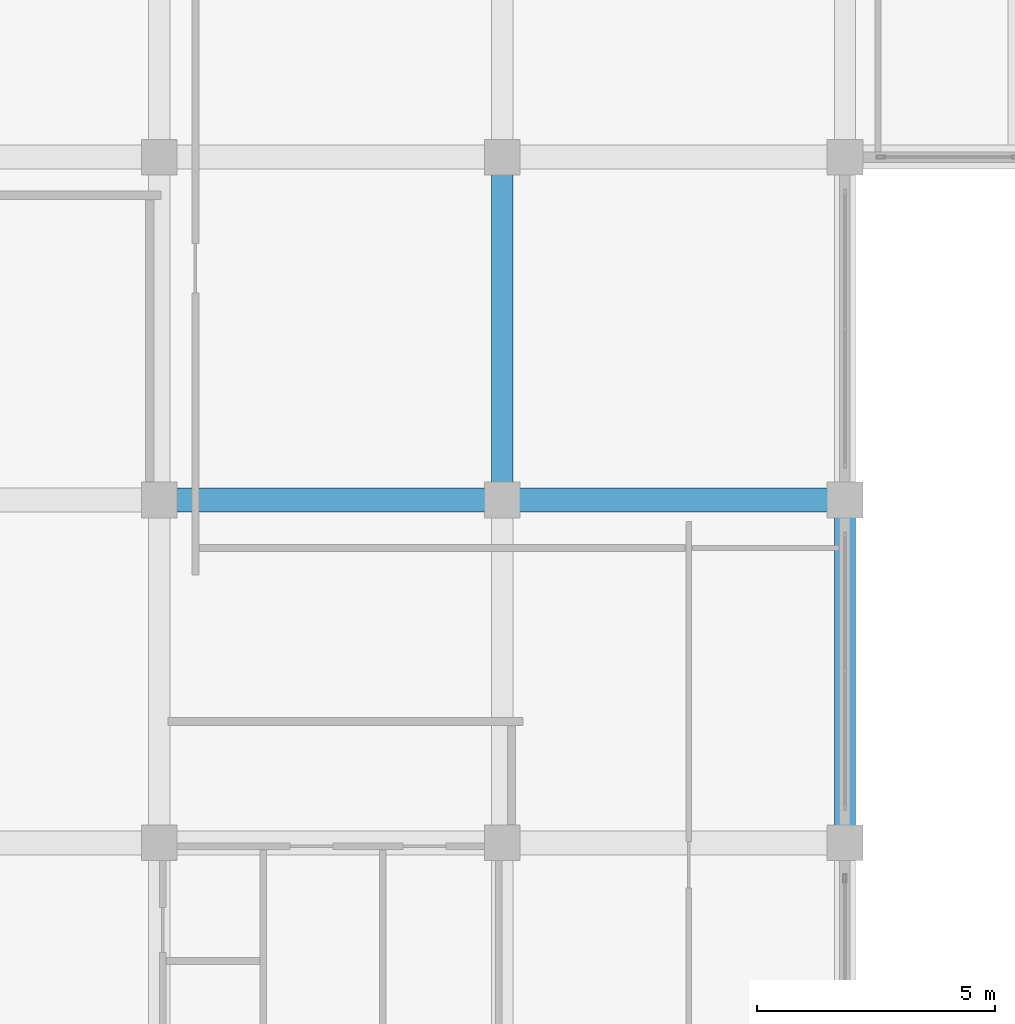
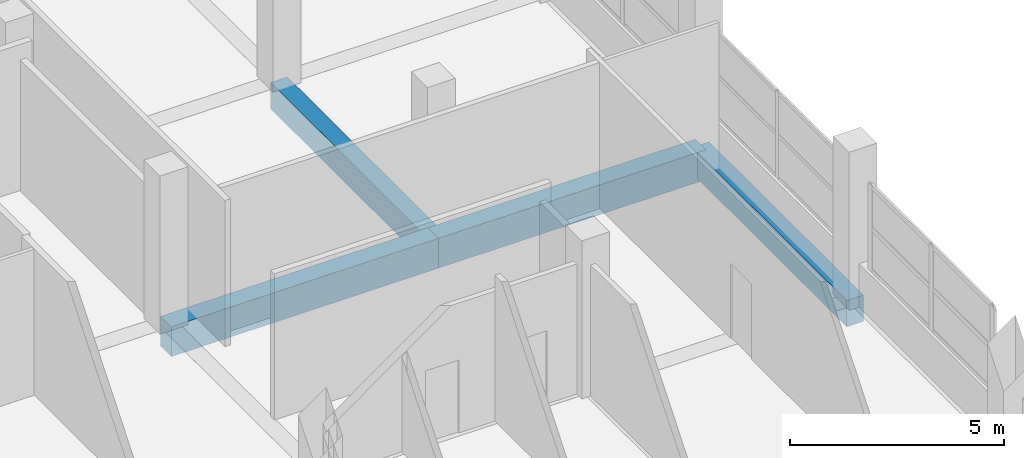
# One storey, part 23 of 141: 4 beams.
"""IFC4 building model written with IfcOpenShell, lengths in metres."""

import ifcopenshell
import ifcopenshell.guid

model = None  # the IFC model being written
_history = None  # IfcOwnerHistory: only IFC2X3 demands one
_inside = {}  # id of a spatial element -> (the spatial element, [elements in it])
_under = {}  # id of a project, library or spatial element -> (it, [spatial elements below it])
_declared = {}  # id of a project -> (the project, [libraries it declares])
_typed = {}  # id of a type object -> (the type object, [elements of that type])
_made_of = {}  # id of a material, layer set ... -> (it, [elements and type objects made of it])


def new_model(schema):
    """Start an empty IFC model of exactly this schema.

    Asked for "IFC4X3", IfcOpenShell would pick the latest addendum, in which some entities
    have other attributes; the version numbers below select the first issue.
    IFC2X3 requires an IfcOwnerHistory on every rooted entity: one is made here for all.
    """
    global model, _history
    if schema == "IFC4X3":
        model = ifcopenshell.file(schema_version=(4, 3, 0, 0))
    else:
        model = ifcopenshell.file(schema=schema)
    _inside.clear()
    _under.clear()
    _declared.clear()
    _typed.clear()
    _made_of.clear()
    _history = None
    if model.schema == "IFC2X3":
        org = make("IfcOrganization", Name="unknown")
        user = make(
            "IfcPersonAndOrganization",
            ThePerson=make("IfcPerson", FamilyName="unknown"),
            TheOrganization=org,
        )
        app = make(
            "IfcApplication",
            ApplicationDeveloper=org,
            Version="unknown",
            ApplicationFullName="unknown",
            ApplicationIdentifier="unknown",
        )
        _history = make(
            "IfcOwnerHistory",
            OwningUser=user,
            OwningApplication=app,
            ChangeAction="ADDED",
            CreationDate=0,
        )
    return model


def make(cls, **values):
    """One entity of the class cls with the attributes given. An attribute that is None is left unset."""
    return model.create_entity(
        cls, **{name: value for name, value in values.items() if value is not None}
    )


def rooted(cls, **values):
    """An entity with a GlobalId (a new one), such as an element, a storey or a relation."""
    return make(cls, GlobalId=ifcopenshell.guid.new(), OwnerHistory=_history, **values)


def si_unit(unit_type, name, prefix=None):
    """IfcSIUnit, for example si_unit("LENGTHUNIT", "METRE", prefix="MILLI")."""
    return make("IfcSIUnit", UnitType=unit_type, Prefix=prefix, Name=name)


def assignment(units):
    """IfcUnitAssignment: the units of a project."""
    return None if units is None else make("IfcUnitAssignment", Units=units)


def point(xyz):
    """IfcCartesianPoint."""
    return None if xyz is None else make("IfcCartesianPoint", Coordinates=xyz)


def direction(xyz):
    """IfcDirection."""
    return None if xyz is None else make("IfcDirection", DirectionRatios=xyz)


def frame(location, z_axis=None, x_axis=None):
    """IfcAxis2Placement3D, a coordinate frame: its origin and axes. An axis left out is left unset."""
    return make(
        "IfcAxis2Placement3D",
        Location=point(location),
        Axis=direction(z_axis),
        RefDirection=direction(x_axis),
    )


def frame_2d(location, x_axis=None):
    """IfcAxis2Placement2D, a coordinate frame in the plane: its origin and x axis."""
    return make(
        "IfcAxis2Placement2D", Location=point(location), RefDirection=direction(x_axis)
    )


def origin():
    """The frame at (0, 0, 0) with its axes left unset."""
    return frame((0.0, 0.0, 0.0))


def origin_2d():
    """The frame at (0, 0) in the plane with its x axis left unset."""
    return frame_2d((0.0, 0.0))


def place(relative_to, where):
    """IfcLocalPlacement: puts the frame where relative to a parent placement (None: the world)."""
    return make(
        "IfcLocalPlacement", PlacementRelTo=relative_to, RelativePlacement=where
    )


def context(
    kind, dimensions, precision=None, world=None, true_north=None, identifier=None
):
    """IfcGeometricRepresentationContext, for example the 3D "Model" context."""
    return make(
        "IfcGeometricRepresentationContext",
        ContextIdentifier=identifier,
        ContextType=kind,
        CoordinateSpaceDimension=dimensions,
        Precision=precision,
        WorldCoordinateSystem=world,
        TrueNorth=true_north,
    )


def subcontext(parent, identifier, kind, view, scale=None):
    """IfcGeometricRepresentationSubContext, for example "Body" below "Model"."""
    return make(
        "IfcGeometricRepresentationSubContext",
        ContextIdentifier=identifier,
        ContextType=kind,
        ParentContext=parent,
        TargetScale=scale,
        TargetView=view,
    )


def project(units=None, contexts=None):
    """IfcProject with its units and contexts."""
    return rooted(
        "IfcProject",
        Name="project",
        RepresentationContexts=contexts,
        UnitsInContext=assignment(units),
    )


def spatial(cls, under=None, at=None, **own):
    """A site, building, storey or space (cls), placed at a placement, below another one or the project."""
    s = rooted(cls, ObjectPlacement=at, **own)
    if under is not None:
        _under.setdefault(under.id(), (under, []))[1].append(s)
    return s


def profile(cls, at=None, kind="AREA", **sizes):
    """A parametric profile (cls). Its sizes go by their IFC names, for example OverallWidth=200.0."""
    return make(cls, ProfileType=kind, Position=at, **sizes)


def rectangle(**sizes):
    """IfcRectangleProfileDef."""
    return profile("IfcRectangleProfileDef", **sizes)


def extrude(swept, where, along, depth):
    """IfcExtrudedAreaSolid: the profile swept, set in the frame where, extruded along a direction by depth."""
    return make(
        "IfcExtrudedAreaSolid",
        SweptArea=swept,
        Position=where,
        ExtrudedDirection=direction(along),
        Depth=depth,
    )


def shape(context_of_items, identifier, shape_type, items):
    """IfcShapeRepresentation: the items that make up one representation, for example the "Body"."""
    return make(
        "IfcShapeRepresentation",
        ContextOfItems=context_of_items,
        RepresentationIdentifier=identifier,
        RepresentationType=shape_type,
        Items=items,
    )


def material(Name=None, Category=None):
    """IfcMaterial."""
    return make("IfcMaterial", Name=Name, Category=Category)


def material_profile(
    of_material, cross_section, Name=None, Category=None, Priority=None
):
    """IfcMaterialProfile: a cross section and its material."""
    return make(
        "IfcMaterialProfile",
        Name=Name,
        Material=of_material,
        Profile=cross_section,
        Priority=Priority,
        Category=Category,
    )


def profile_set(profiles, Name=None, composite=None):
    """IfcMaterialProfileSet."""
    return make(
        "IfcMaterialProfileSet",
        Name=Name,
        MaterialProfiles=profiles,
        CompositeProfile=composite,
    )


def made_of(thing, what):
    """Note that an element or type object is made of a material, layer set ...; save() writes the relation."""
    if what is not None:
        _made_of.setdefault(what.id(), (what, []))[1].append(thing)
    return thing


def type_object(cls, material=None, **own):
    """A type object (cls), such as IfcWallType, which elements share."""
    return made_of(rooted(cls, **own), material)


def element(
    cls,
    number,
    at=None,
    inside=None,
    cuts=None,
    type_object=None,
    material=None,
    context=None,
    identifier="Body",
    shape_type=None,
    held_by="IfcProductDefinitionShape",
    body=None,
    shapes=None,
    **own,
):
    """One element of the class cls, such as IfcWall. Its Tag is "e" and its number.

    at: its placement. inside: the storey or other place that contains it. cuts: it is an
    opening in that element (IfcRelVoidsElement). A single representation is given by context,
    identifier, shape_type and body (its items); several are given by shapes. held_by: the class
    of the entity that holds the representations. save() writes the other relations.
    """
    e = rooted(cls, Tag="e%d" % number, ObjectPlacement=at, **own)
    if body is not None:
        shapes = [shape(context, identifier, shape_type, body)]
    if shapes is not None:
        e.Representation = make(held_by, Representations=shapes)
    if inside is not None:
        _inside.setdefault(inside.id(), (inside, []))[1].append(e)
    if cuts is not None:
        rooted(
            "IfcRelVoidsElement", RelatingBuildingElement=cuts, RelatedOpeningElement=e
        )
    if type_object is not None:
        _typed.setdefault(type_object.id(), (type_object, []))[1].append(e)
    return made_of(e, material)


def aggregate(whole, parts):
    """IfcRelAggregates: a whole, such as a stair, and the parts it consists of."""
    return rooted("IfcRelAggregates", RelatingObject=whole, RelatedObjects=parts)


def save(model, path):
    """Write the relations noted so far, then the file.

    IfcRelAggregates (storeys below a building ...), IfcRelContainedInSpatialStructure (elements
    in a storey), IfcRelDefinesByType, IfcRelAssociatesMaterial and IfcRelDeclares: one each for
    every whole, place, type object, material and project.
    """
    for whole, parts in _under.values():
        aggregate(whole, parts)
    for where, things in _inside.values():
        rooted(
            "IfcRelContainedInSpatialStructure",
            RelatedElements=things,
            RelatingStructure=where,
        )
    for kind, things in _typed.values():
        rooted("IfcRelDefinesByType", RelatedObjects=things, RelatingType=kind)
    for what, things in _made_of.values():
        rooted("IfcRelAssociatesMaterial", RelatedObjects=things, RelatingMaterial=what)
    for by, libraries in _declared.values():
        rooted("IfcRelDeclares", RelatingContext=by, RelatedDefinitions=libraries)
    model.write(path)


model = new_model("IFC4")

# Units and contexts
model_context = context("Model", 3, precision=1e-05, world=origin(), true_north=direction((0.0, 1.0)))
body_context = subcontext(model_context, "Body", "Model", "MODEL_VIEW")
ifc_project = project(units=[si_unit("LENGTHUNIT", "METRE"), si_unit("AREAUNIT", "SQUARE_METRE"), si_unit("VOLUMEUNIT", "CUBIC_METRE"), si_unit("PLANEANGLEUNIT", "RADIAN"), si_unit("MASSUNIT", "GRAM", prefix="KILO")], contexts=[model_context])

# Site, building, storey
site_placement = place(None, origin())
site = spatial("IfcSite", under=ifc_project, at=site_placement, CompositionType="ELEMENT")
building_placement = place(site_placement, origin())
building = spatial("IfcBuilding", under=site, at=building_placement, Name="Seraya Terrace Polytechnic", CompositionType="ELEMENT")
storey_placement = place(building_placement, frame((0.0, 0.0, 14.39990234375)))
storey = spatial("IfcBuildingStorey", under=building, at=storey_placement, Name="L03", CompositionType="ELEMENT", Elevation=14.39990234375)

# Beams
ifc_material = material(Name="Concrete C40/50", Category="concrete")
ifc_material_profile_1 = material_profile(ifc_material, rectangle(XDim=0.5, YDim=0.85009765625, at=origin_2d()), Name="RC 500x850")
ifc_profile_set_1 = profile_set([ifc_material_profile_1], Name="Concrete C40/50")
beam_type_1 = type_object("IfcBeamType", Name="BM-05", PredefinedType="BEAM", material=ifc_profile_set_1)
for number, where, z_axis, x_axis, name in (
    (1, (28.800048828125, 57.60009765625, -0.4248046875), (1.0, 0.0, 0.0), (0.0, 1.0, 0.0), "Beam BM-05 L03 X (28.8..36.0, 57.6)"),
    (2, (36.0, 57.60009765625, -0.4248046875), (1.0, 0.0, 0.0), (0.0, 1.0, 0.0), "Beam BM-05 L03 X (36.0..43.2, 57.6)"),
):
    element("IfcBeam", number, at=place(storey_placement, frame(where, z_axis=z_axis, x_axis=x_axis)), inside=storey, type_object=beam_type_1, Name=name, PredefinedType="BEAM", context=body_context, shape_type="SweptSolid", body=[
        extrude(rectangle(XDim=0.5, YDim=0.85009765625, at=origin_2d()), origin(), (0.0, 0.0, 1.0), 7.199951171875),
    ])
ifc_material_profile_2 = material_profile(ifc_material, rectangle(XDim=0.449951171875, YDim=0.75, at=origin_2d()), Name="RC 450x750")
ifc_profile_set_2 = profile_set([ifc_material_profile_2], Name="Concrete C40/50")
beam_type_2 = type_object("IfcBeamType", Name="BM-08", PredefinedType="BEAM", material=ifc_profile_set_2)
beam_1_placement = place(storey_placement, frame((36.0, 57.60009765625, -0.375), z_axis=(0.0, 1.0, 0.0), x_axis=(-1.0, 0.0, 0.0)))
element("IfcBeam", 3, at=beam_1_placement, inside=storey, type_object=beam_type_2, Name="Beam BM-08 L03 Y (36.0, 57.6..64.8)", PredefinedType="BEAM", context=body_context, shape_type="SweptSolid", body=[
    extrude(rectangle(XDim=0.449951171875, YDim=0.75, at=origin_2d()), origin(), (0.0, 0.0, 1.0), 7.199951171875),
])
beam_2_placement = place(storey_placement, frame((43.199951171875, 50.39990234375, -0.375), z_axis=(0.0, 1.0, 0.0), x_axis=(-1.0, 0.0, 0.0)))
element("IfcBeam", 4, at=beam_2_placement, inside=storey, type_object=beam_type_2, Name="Beam BM-08 L03 Y (43.2, 50.4..57.6)", PredefinedType="BEAM", context=body_context, shape_type="SweptSolid", body=[
    extrude(rectangle(XDim=0.449951171875, YDim=0.75, at=origin_2d()), origin(), (0.0, 0.0, 1.0), 7.2001953125),
])

save(model, "model.ifc")
